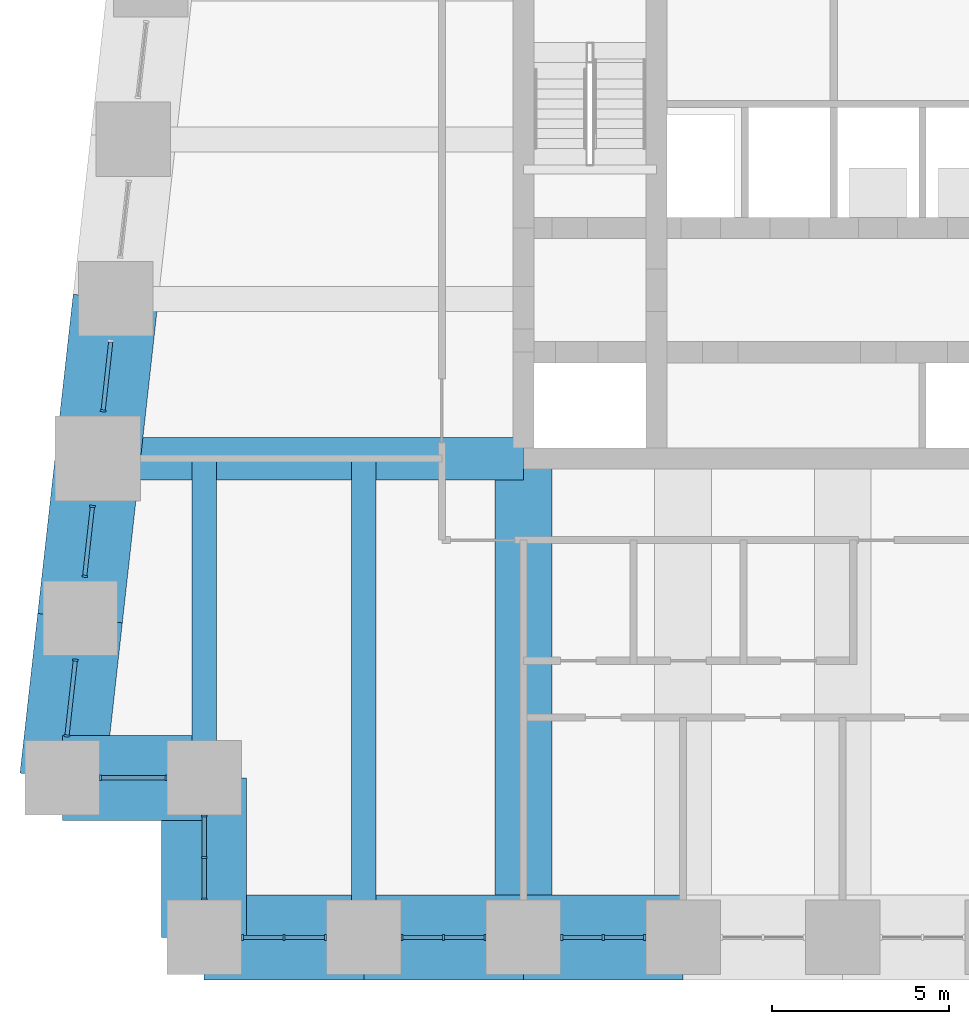
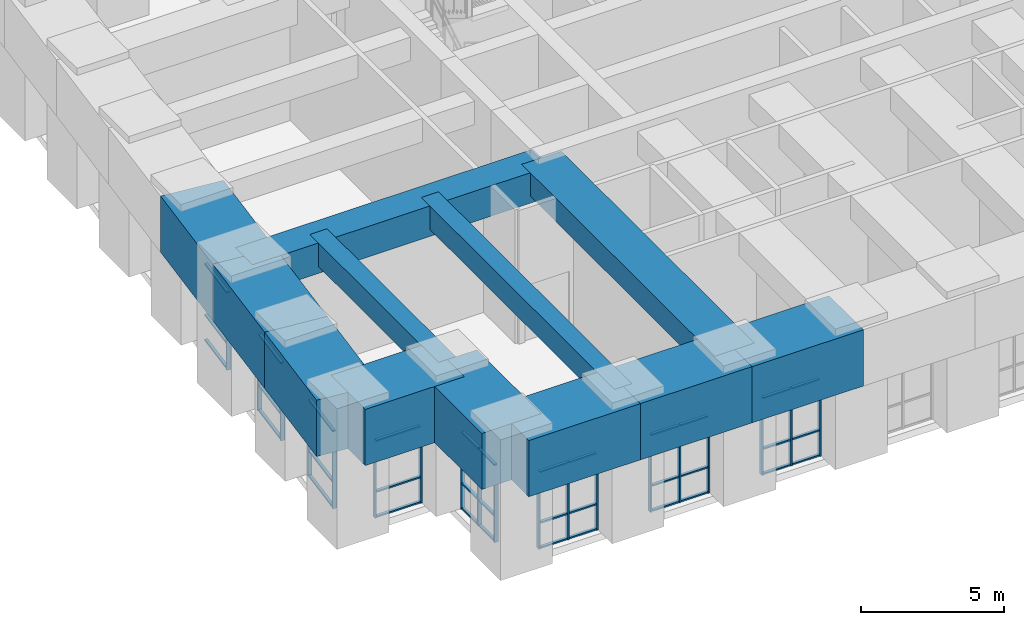
# One storey, part 2 of 17: 55 members, 12 beams, 8 elements without a shape of their own.
"""IFC4 building model written with IfcOpenShell, lengths in metres."""

from ifc_helpers import new_model, si_unit, direction, frame, origin, origin_2d, place, context, subcontext, project, spatial, rectangle, extrude, material, material_profile, profile_set, type_object, element, aggregate, save


model = new_model("IFC4")

# Units and contexts
model_context = context("Model", 3, precision=1e-05, world=origin(), true_north=direction((0.0, 1.0)))
body_context = subcontext(model_context, "Body", "Model", "MODEL_VIEW")
ifc_project = project(units=[si_unit("LENGTHUNIT", "METRE"), si_unit("AREAUNIT", "SQUARE_METRE"), si_unit("VOLUMEUNIT", "CUBIC_METRE"), si_unit("PLANEANGLEUNIT", "RADIAN"), si_unit("MASSUNIT", "GRAM", prefix="KILO")], contexts=[model_context])

# Site, building, storey
site_placement = place(None, origin())
site = spatial("IfcSite", under=ifc_project, at=site_placement, CompositionType="ELEMENT")
building_placement = place(site_placement, origin())
building = spatial("IfcBuilding", under=site, at=building_placement, Name="Kilele Tower Hotel", CompositionType="ELEMENT")
storey_placement = place(building_placement, frame((0.0, 0.0, 145.89990234375)))
storey = spatial("IfcBuildingStorey", under=building, at=storey_placement, Name="L38", CompositionType="ELEMENT", Elevation=145.89990234375)

# Beams
ifc_material_1 = material(Name="Concrete C60/75", Category="concrete")
ifc_material_profile_1 = material_profile(ifc_material_1, rectangle(XDim=1.60009765625, YDim=1.0, at=origin_2d()))
ifc_profile_set_1 = profile_set([ifc_material_profile_1], Name="Concrete C60/75")
beam_type_1 = type_object("IfcBeamType", Name="Beam RC 1600x1000 C60/75", PredefinedType="BEAM", material=ifc_profile_set_1)
beam_1_placement = place(storey_placement, frame((13.5, 0.0, 5.2001953125), z_axis=(0.0, 1.0, 0.0), x_axis=(-1.0, 0.0, 0.0)))
element("IfcBeam", 1, at=beam_1_placement, inside=storey, type_object=beam_type_1, Name="Beam BC1 level L39", PredefinedType="BEAM", context=body_context, shape_type="SweptSolid", body=[
    extrude(rectangle(XDim=1.60009765625, YDim=1.0, at=origin_2d()), origin(), (0.0, 0.0, 1.0), 13.5),
])
ifc_material_2 = material(Name="Concrete C60/75", Category="concrete")
ifc_material_profile_2 = material_profile(ifc_material_2, rectangle(XDim=0.699951171875, YDim=1.0, at=origin_2d()))
ifc_profile_set_2 = profile_set([ifc_material_profile_2], Name="Concrete C60/75")
beam_type_2 = type_object("IfcBeamType", Name="Beam RC 700x1000 C60/75", PredefinedType="BEAM", material=ifc_profile_set_2)
beam_2_placement = place(storey_placement, frame((9.0, 0.0, 5.2001953125), z_axis=(0.0, 1.0, 0.0), x_axis=(-1.0, 0.0, 0.0)))
element("IfcBeam", 2, at=beam_2_placement, inside=storey, type_object=beam_type_2, Name="Beam B4 level L39", PredefinedType="BEAM", context=body_context, shape_type="SweptSolid", body=[
    extrude(rectangle(XDim=0.699951171875, YDim=1.0, at=origin_2d()), origin(), (0.0, 0.0, 1.0), 13.5),
])
ifc_material_3 = material(Name="Concrete C60/75", Category="concrete")
ifc_material_profile_3 = material_profile(ifc_material_3, rectangle(XDim=0.699951171875, YDim=1.0, at=origin_2d()))
ifc_profile_set_3 = profile_set([ifc_material_profile_3], Name="Concrete C60/75")
beam_type_3 = type_object("IfcBeamType", Name="Beam RC 700x1000 C60/75 mid span", PredefinedType="BEAM", material=ifc_profile_set_3)
beam_3_placement = place(storey_placement, frame((4.5, 4.5, 5.2001953125), z_axis=(0.0, 1.0, 0.0), x_axis=(-1.0, 0.0, 0.0)))
element("IfcBeam", 3, at=beam_3_placement, inside=storey, type_object=beam_type_3, Name="Beam B5 level L39", PredefinedType="BEAM", context=body_context, shape_type="SweptSolid", body=[
    extrude(rectangle(XDim=0.699951171875, YDim=1.0, at=origin_2d()), origin(), (0.0, 0.0, 1.0), 9.0),
])
ifc_material_4 = material(Name="Concrete C60/75", Category="concrete")
ifc_material_profile_4 = material_profile(ifc_material_4, rectangle(XDim=1.199951171875, YDim=1.300048828125, at=origin_2d()))
ifc_profile_set_4 = profile_set([ifc_material_profile_4], Name="Concrete C60/75")
beam_type_4 = type_object("IfcBeamType", Name="Girder RC 1200x1300 C60/75 tie", PredefinedType="BEAM", material=ifc_profile_set_4)
beam_4_placement = place(storey_placement, frame((1.5, 13.5, 5.050048828125), z_axis=(1.0, 0.0, 0.0), x_axis=(0.0, 1.0, 0.0)))
element("IfcBeam", 4, at=beam_4_placement, inside=storey, type_object=beam_type_4, Name="Girder G8 level L39", PredefinedType="BEAM", context=body_context, shape_type="SweptSolid", body=[
    extrude(rectangle(XDim=1.199951171875, YDim=1.300048828125, at=origin_2d()), origin(), (0.0, 0.0, 1.0), 12.0),
])

# Curtain wall, members
ifc_material_5 = material(Name="Aluminium curtain wall, clear double glazing", Category="aluminium")
curtain_wall_type = type_object("IfcCurtainWallType", Name="Sky lobby curtain wall CW-3", PredefinedType="NOTDEFINED", material=ifc_material_5)
curtain_wall_1_placement = place(storey_placement, origin())
curtain_wall_1 = element("IfcCurtainWall", 5, at=curtain_wall_1_placement, inside=storey, type_object=curtain_wall_type, Name="Sky lobby curtain wall CW-3 L38", PredefinedType="NOTDEFINED")
ifc_material_6 = material(Name="Aluminium EN AW-6063 T6", Category="aluminium")
ifc_material_profile_5 = material_profile(ifc_material_6, rectangle(XDim=0.159912109375, YDim=0.06005859375, at=origin_2d()))
ifc_profile_set_5 = profile_set([ifc_material_profile_5], Name="Aluminium EN AW-6063 T6")
member_type_1 = type_object("IfcMemberType", Name="Mullion 60x160 CW-3", PredefinedType="MULLION", material=ifc_profile_set_5)
member_1_placement = place(storey_placement, frame((1.580078125, 4.5, 0.0), z_axis=(0.0, 0.0, 1.0), x_axis=(0.0, 1.0, 0.0)))
member_1 = element("IfcMember", 6, at=member_1_placement, type_object=member_type_1, Name="CW-3 mullion 1", PredefinedType="MULLION", context=body_context, shape_type="SweptSolid", body=[
    extrude(rectangle(XDim=0.159912109375, YDim=0.06005859375, at=origin_2d()), origin(), (0.0, 0.0, 1.0), 3.300048828125),
])
member_2_placement = place(storey_placement, frame((3.419921875, 4.5, 0.0), z_axis=(0.0, 0.0, 1.0), x_axis=(0.0, 1.0, 0.0)))
member_2 = element("IfcMember", 7, at=member_2_placement, type_object=member_type_1, Name="CW-3 mullion 2", PredefinedType="MULLION", context=body_context, shape_type="SweptSolid", body=[
    extrude(rectangle(XDim=0.159912109375, YDim=0.06005859375, at=origin_2d()), origin(), (0.0, 0.0, 1.0), 3.300048828125),
])

curtain_wall_2_placement = place(storey_placement, origin())
curtain_wall_2 = element("IfcCurtainWall", 8, at=curtain_wall_2_placement, inside=storey, type_object=curtain_wall_type, Name="Sky lobby curtain wall CW-3 L38", PredefinedType="NOTDEFINED")
member_3_placement = place(storey_placement, frame((4.5, 3.419921875, 0.0), z_axis=(0.0, 0.0, 1.0), x_axis=(1.0, 0.0, 0.0)))
member_3 = element("IfcMember", 9, at=member_3_placement, type_object=member_type_1, Name="CW-3 mullion 1", PredefinedType="MULLION", context=body_context, shape_type="SweptSolid", body=[
    extrude(rectangle(XDim=0.159912109375, YDim=0.06005859375, at=origin_2d()), origin(), (0.0, 0.0, 1.0), 3.300048828125),
])
member_4_placement = place(storey_placement, frame((4.5, 2.25, 0.0), z_axis=(0.0, 0.0, 1.0), x_axis=(1.0, 0.0, 0.0)))
member_4 = element("IfcMember", 10, at=member_4_placement, type_object=member_type_1, Name="CW-3 mullion 2", PredefinedType="MULLION", context=body_context, shape_type="SweptSolid", body=[
    extrude(rectangle(XDim=0.159912109375, YDim=0.06005859375, at=origin_2d()), origin(), (0.0, 0.0, 1.0), 3.300048828125),
])
member_5_placement = place(storey_placement, frame((4.5, 1.080078125, 0.0), z_axis=(0.0, 0.0, 1.0), x_axis=(1.0, 0.0, 0.0)))
member_5 = element("IfcMember", 11, at=member_5_placement, type_object=member_type_1, Name="CW-3 mullion 3", PredefinedType="MULLION", context=body_context, shape_type="SweptSolid", body=[
    extrude(rectangle(XDim=0.159912109375, YDim=0.06005859375, at=origin_2d()), origin(), (0.0, 0.0, 1.0), 3.300048828125),
])

curtain_wall_3_placement = place(storey_placement, origin())
curtain_wall_3 = element("IfcCurtainWall", 12, at=curtain_wall_3_placement, inside=storey, type_object=curtain_wall_type, Name="Sky lobby curtain wall CW-3 L38", PredefinedType="NOTDEFINED")
member_6_placement = place(storey_placement, frame((5.580078125, 0.0, 0.0), z_axis=(0.0, 0.0, 1.0), x_axis=(0.0, 1.0, 0.0)))
member_6 = element("IfcMember", 13, at=member_6_placement, type_object=member_type_1, Name="CW-3 mullion 1", PredefinedType="MULLION", context=body_context, shape_type="SweptSolid", body=[
    extrude(rectangle(XDim=0.159912109375, YDim=0.06005859375, at=origin_2d()), origin(), (0.0, 0.0, 1.0), 3.300048828125),
])
member_7_placement = place(storey_placement, frame((6.75, 0.0, 0.0), z_axis=(0.0, 0.0, 1.0), x_axis=(0.0, 1.0, 0.0)))
member_7 = element("IfcMember", 14, at=member_7_placement, type_object=member_type_1, Name="CW-3 mullion 2", PredefinedType="MULLION", context=body_context, shape_type="SweptSolid", body=[
    extrude(rectangle(XDim=0.159912109375, YDim=0.06005859375, at=origin_2d()), origin(), (0.0, 0.0, 1.0), 3.300048828125),
])
member_8_placement = place(storey_placement, frame((7.919921875, 0.0, 0.0), z_axis=(0.0, 0.0, 1.0), x_axis=(0.0, 1.0, 0.0)))
member_8 = element("IfcMember", 15, at=member_8_placement, type_object=member_type_1, Name="CW-3 mullion 3", PredefinedType="MULLION", context=body_context, shape_type="SweptSolid", body=[
    extrude(rectangle(XDim=0.159912109375, YDim=0.06005859375, at=origin_2d()), origin(), (0.0, 0.0, 1.0), 3.300048828125),
])

curtain_wall_4_placement = place(storey_placement, origin())
curtain_wall_4 = element("IfcCurtainWall", 16, at=curtain_wall_4_placement, inside=storey, type_object=curtain_wall_type, Name="Sky lobby curtain wall CW-3 L38", PredefinedType="NOTDEFINED")
member_9_placement = place(storey_placement, frame((10.080078125, 0.0, 0.0), z_axis=(0.0, 0.0, 1.0), x_axis=(0.0, 1.0, 0.0)))
member_9 = element("IfcMember", 17, at=member_9_placement, type_object=member_type_1, Name="CW-3 mullion 1", PredefinedType="MULLION", context=body_context, shape_type="SweptSolid", body=[
    extrude(rectangle(XDim=0.159912109375, YDim=0.06005859375, at=origin_2d()), origin(), (0.0, 0.0, 1.0), 3.300048828125),
])
member_10_placement = place(storey_placement, frame((11.25, 0.0, 0.0), z_axis=(0.0, 0.0, 1.0), x_axis=(0.0, 1.0, 0.0)))
member_10 = element("IfcMember", 18, at=member_10_placement, type_object=member_type_1, Name="CW-3 mullion 2", PredefinedType="MULLION", context=body_context, shape_type="SweptSolid", body=[
    extrude(rectangle(XDim=0.159912109375, YDim=0.06005859375, at=origin_2d()), origin(), (0.0, 0.0, 1.0), 3.300048828125),
])
member_11_placement = place(storey_placement, frame((12.419921875, 0.0, 0.0), z_axis=(0.0, 0.0, 1.0), x_axis=(0.0, 1.0, 0.0)))
member_11 = element("IfcMember", 19, at=member_11_placement, type_object=member_type_1, Name="CW-3 mullion 3", PredefinedType="MULLION", context=body_context, shape_type="SweptSolid", body=[
    extrude(rectangle(XDim=0.159912109375, YDim=0.06005859375, at=origin_2d()), origin(), (0.0, 0.0, 1.0), 3.300048828125),
])

curtain_wall_5_placement = place(storey_placement, origin())
curtain_wall_5 = element("IfcCurtainWall", 20, at=curtain_wall_5_placement, inside=storey, type_object=curtain_wall_type, Name="Sky lobby curtain wall CW-3 L38", PredefinedType="NOTDEFINED")
member_12_placement = place(storey_placement, frame((14.580078125, 0.0, 0.0), z_axis=(0.0, 0.0, 1.0), x_axis=(0.0, 1.0, 0.0)))
member_12 = element("IfcMember", 21, at=member_12_placement, type_object=member_type_1, Name="CW-3 mullion 1", PredefinedType="MULLION", context=body_context, shape_type="SweptSolid", body=[
    extrude(rectangle(XDim=0.159912109375, YDim=0.06005859375, at=origin_2d()), origin(), (0.0, 0.0, 1.0), 3.300048828125),
])
member_13_placement = place(storey_placement, frame((15.75, 0.0, 0.0), z_axis=(0.0, 0.0, 1.0), x_axis=(0.0, 1.0, 0.0)))
member_13 = element("IfcMember", 22, at=member_13_placement, type_object=member_type_1, Name="CW-3 mullion 2", PredefinedType="MULLION", context=body_context, shape_type="SweptSolid", body=[
    extrude(rectangle(XDim=0.159912109375, YDim=0.06005859375, at=origin_2d()), origin(), (0.0, 0.0, 1.0), 3.300048828125),
])
member_14_placement = place(storey_placement, frame((16.919921875, 0.0, 0.0), z_axis=(0.0, 0.0, 1.0), x_axis=(0.0, 1.0, 0.0)))
member_14 = element("IfcMember", 23, at=member_14_placement, type_object=member_type_1, Name="CW-3 mullion 3", PredefinedType="MULLION", context=body_context, shape_type="SweptSolid", body=[
    extrude(rectangle(XDim=0.159912109375, YDim=0.06005859375, at=origin_2d()), origin(), (0.0, 0.0, 1.0), 3.300048828125),
])

# Curtain wall, member
curtain_wall_6_placement = place(storey_placement, origin())
curtain_wall_6 = element("IfcCurtainWall", 24, at=curtain_wall_6_placement, inside=storey, type_object=curtain_wall_type, Name="Sky lobby curtain wall CW-3 L38", PredefinedType="NOTDEFINED")
member_15_placement = place(storey_placement, frame((1.649658203125, 14.846923828125, 0.0), z_axis=(0.0, 0.0, 1.0), x_axis=(0.993883734625, -0.11043152651, 0.0)))
member_15 = element("IfcMember", 25, at=member_15_placement, type_object=member_type_1, Name="CW-3 mullion 2", PredefinedType="MULLION", context=body_context, shape_type="SweptSolid", body=[
    extrude(rectangle(XDim=0.159912109375, YDim=0.06005859375, at=origin_2d()), origin(), (0.0, 0.0, 1.0), 3.300048828125),
])

# Curtain wall, members
curtain_wall_7_placement = place(storey_placement, origin())
curtain_wall_7 = element("IfcCurtainWall", 26, at=curtain_wall_7_placement, inside=storey, type_object=curtain_wall_type, Name="Sky lobby curtain wall CW-3 L38", PredefinedType="NOTDEFINED")
member_16_placement = place(storey_placement, frame((1.350341796875, 12.153076171875, 0.0), z_axis=(0.0, 0.0, 1.0), x_axis=(0.993883734625, -0.11043152651, 0.0)))
member_16 = element("IfcMember", 27, at=member_16_placement, type_object=member_type_1, Name="CW-3 mullion 1", PredefinedType="MULLION", context=body_context, shape_type="SweptSolid", body=[
    extrude(rectangle(XDim=0.159912109375, YDim=0.06005859375, at=origin_2d()), origin(), (0.0, 0.0, 1.0), 3.300048828125),
])
member_17_placement = place(storey_placement, frame((1.13134765625, 10.182373046875, 0.0), z_axis=(0.0, 0.0, 1.0), x_axis=(0.993883734625, -0.11043152651, 0.0)))
member_17 = element("IfcMember", 28, at=member_17_placement, type_object=member_type_1, Name="CW-3 mullion 2", PredefinedType="MULLION", context=body_context, shape_type="SweptSolid", body=[
    extrude(rectangle(XDim=0.159912109375, YDim=0.06005859375, at=origin_2d()), origin(), (0.0, 0.0, 1.0), 3.300048828125),
])

curtain_wall_8_placement = place(storey_placement, origin())
curtain_wall_8 = element("IfcCurtainWall", 29, at=curtain_wall_8_placement, inside=storey, type_object=curtain_wall_type, Name="Sky lobby curtain wall CW-3 L38", PredefinedType="NOTDEFINED")
member_18_placement = place(storey_placement, frame((0.86865234375, 7.817626953125, 0.0), z_axis=(0.0, 0.0, 1.0), x_axis=(0.993883734629, -0.110431526475, 0.0)))
member_18 = element("IfcMember", 30, at=member_18_placement, type_object=member_type_1, Name="CW-3 mullion 1", PredefinedType="MULLION", context=body_context, shape_type="SweptSolid", body=[
    extrude(rectangle(XDim=0.159912109375, YDim=0.06005859375, at=origin_2d()), origin(), (0.0, 0.0, 1.0), 3.300048828125),
])
member_19_placement = place(storey_placement, frame((0.63134765625, 5.682373046875, 0.0), z_axis=(0.0, 0.0, 1.0), x_axis=(0.993883734629, -0.110431526475, 0.0)))
member_19 = element("IfcMember", 31, at=member_19_placement, type_object=member_type_1, Name="CW-3 mullion 2", PredefinedType="MULLION", context=body_context, shape_type="SweptSolid", body=[
    extrude(rectangle(XDim=0.159912109375, YDim=0.06005859375, at=origin_2d()), origin(), (0.0, 0.0, 1.0), 3.300048828125),
])

# Beams
ifc_material_7 = material(Name="Concrete C60/75", Category="concrete")
ifc_material_profile_6 = material_profile(ifc_material_7, rectangle(XDim=2.39990234375, YDim=2.39990234375, at=origin_2d()))
ifc_profile_set_6 = profile_set([ifc_material_profile_6], Name="Concrete C60/75")
beam_type_5 = type_object("IfcBeamType", Name="Spandrel RC 2400x2400 C60/75", PredefinedType="SPANDREL", material=ifc_profile_set_6)
beam_5_placement = place(storey_placement, frame((0.5, 4.5, 4.5), z_axis=(1.0, 0.0, 0.0), x_axis=(0.0, 1.0, 0.0)))
element("IfcBeam", 32, at=beam_5_placement, inside=storey, type_object=beam_type_5, Name="Spandrel SP15 level L39", PredefinedType="SPANDREL", context=body_context, shape_type="SweptSolid", body=[
    extrude(rectangle(XDim=2.39990234375, YDim=2.39990234375, at=origin_2d()), origin(), (0.0, 0.0, 1.0), 4.0),
])
for number, where, z_axis, x_axis, name in (
    (33, (4.5, 4.5, 4.5), (0.0, -1.0, 0.0), (1.0, 0.0, 0.0), "Spandrel SP15 level L39"),
    (34, (4.5, 0.0, 4.5), (1.0, 0.0, 0.0), (0.0, 1.0, 0.0), "Spandrel SP15 level L39"),
    (35, (9.0, 0.0, 4.5), (1.0, 0.0, 0.0), (0.0, 1.0, 0.0), "Spandrel SP15 level L39"),
    (36, (13.5, 0.0, 4.5), (1.0, 0.0, 0.0), (0.0, 1.0, 0.0), "Spandrel SP15 level L39"),
):
    element("IfcBeam", number, at=place(storey_placement, frame(where, z_axis=z_axis, x_axis=x_axis)), inside=storey, type_object=beam_type_5, Name=name, PredefinedType="SPANDREL", context=body_context, shape_type="SweptSolid", body=[
        extrude(rectangle(XDim=2.39990234375, YDim=2.39990234375, at=origin_2d()), origin(), (0.0, 0.0, 1.0), 4.5),
    ])
for number, where, z_axis, x_axis, name in (
    (37, (2.0, 18.0, 4.5), (-0.110431526075, -0.993883734674, 0.0), (0.993883734674, -0.110431526075, 0.0), "Spandrel SP15 level L39"),
    (38, (1.5, 13.5, 4.5), (-0.110431526075, -0.993883734674, 0.0), (0.993883734674, -0.110431526075, 0.0), "Spandrel SP15 level L39"),
    (39, (1.0, 9.0, 4.5), (-0.110431526075, -0.993883734674, 0.0), (0.993883734674, -0.110431526075, 0.0), "Spandrel SP15 level L39"),
):
    element("IfcBeam", number, at=place(storey_placement, frame(where, z_axis=z_axis, x_axis=x_axis)), inside=storey, type_object=beam_type_5, Name=name, PredefinedType="SPANDREL", context=body_context, shape_type="SweptSolid", body=[
        extrude(rectangle(XDim=2.39990234375, YDim=2.39990234375, at=origin_2d()), origin(), (0.0, 0.0, 1.0), 4.527587890625),
    ])

# Member
ifc_material_8 = material(Name="Aluminium EN AW-6063 T6", Category="aluminium")
ifc_material_profile_7 = material_profile(ifc_material_8, rectangle(XDim=0.1201171875, YDim=0.06005859375, at=origin_2d()))
ifc_profile_set_7 = profile_set([ifc_material_profile_7], Name="Aluminium EN AW-6063 T6")
member_type_2 = type_object("IfcMemberType", Name="Transom 60x120 CW-3", PredefinedType="USERDEFINED", material=ifc_profile_set_7)
member_20_placement = place(storey_placement, frame((1.610107421875, 4.5, 0.030029296875), z_axis=(1.0, 0.0, 0.0), x_axis=(0.0, 1.0, 0.0)))
member_20 = element("IfcMember", 40, at=member_20_placement, type_object=member_type_2, Name="CW-3 transom 1.1", ObjectType="TRANSOM", PredefinedType="USERDEFINED", context=body_context, shape_type="SweptSolid", body=[
    extrude(rectangle(XDim=0.1201171875, YDim=0.06005859375, at=origin_2d()), origin(), (0.0, 0.0, 1.0), 1.77978515625),
])

member_21_placement = place(storey_placement, frame((1.610107421875, 4.5, 1.10009765625), z_axis=(1.0, 0.0, 0.0), x_axis=(0.0, 1.0, 0.0)))
member_21 = element("IfcMember", 41, at=member_21_placement, type_object=member_type_2, Name="CW-3 transom 1.2", ObjectType="TRANSOM", PredefinedType="USERDEFINED", context=body_context, shape_type="SweptSolid", body=[
    extrude(rectangle(XDim=0.1201171875, YDim=0.06005859375, at=origin_2d()), origin(), (0.0, 0.0, 1.0), 1.77978515625),
])

member_22_placement = place(storey_placement, frame((1.610107421875, 4.5, 3.27001953125), z_axis=(1.0, 0.0, 0.0), x_axis=(0.0, 1.0, 0.0)))
member_22 = element("IfcMember", 42, at=member_22_placement, type_object=member_type_2, Name="CW-3 transom 1.3", ObjectType="TRANSOM", PredefinedType="USERDEFINED", context=body_context, shape_type="SweptSolid", body=[
    extrude(rectangle(XDim=0.1201171875, YDim=0.06005859375, at=origin_2d()), origin(), (0.0, 0.0, 1.0), 1.77978515625),
])

aggregate(curtain_wall_1, [member_1, member_2, member_20, member_21, member_22])

member_23_placement = place(storey_placement, frame((4.5, 3.389892578125, 0.030029296875), z_axis=(0.0, -1.0, 0.0), x_axis=(1.0, 0.0, 0.0)))
member_23 = element("IfcMember", 43, at=member_23_placement, type_object=member_type_2, Name="CW-3 transom 1.1", ObjectType="TRANSOM", PredefinedType="USERDEFINED", context=body_context, shape_type="SweptSolid", body=[
    extrude(rectangle(XDim=0.1201171875, YDim=0.06005859375, at=origin_2d()), origin(), (0.0, 0.0, 1.0), 1.10986328125),
])

member_24_placement = place(storey_placement, frame((4.5, 3.389892578125, 1.10009765625), z_axis=(0.0, -1.0, 0.0), x_axis=(1.0, 0.0, 0.0)))
member_24 = element("IfcMember", 44, at=member_24_placement, type_object=member_type_2, Name="CW-3 transom 1.2", ObjectType="TRANSOM", PredefinedType="USERDEFINED", context=body_context, shape_type="SweptSolid", body=[
    extrude(rectangle(XDim=0.1201171875, YDim=0.06005859375, at=origin_2d()), origin(), (0.0, 0.0, 1.0), 1.10986328125),
])

member_25_placement = place(storey_placement, frame((4.5, 3.389892578125, 3.27001953125), z_axis=(0.0, -1.0, 0.0), x_axis=(1.0, 0.0, 0.0)))
member_25 = element("IfcMember", 45, at=member_25_placement, type_object=member_type_2, Name="CW-3 transom 1.3", ObjectType="TRANSOM", PredefinedType="USERDEFINED", context=body_context, shape_type="SweptSolid", body=[
    extrude(rectangle(XDim=0.1201171875, YDim=0.06005859375, at=origin_2d()), origin(), (0.0, 0.0, 1.0), 1.10986328125),
])

member_26_placement = place(storey_placement, frame((4.5, 2.219970703125, 0.030029296875), z_axis=(0.0, -1.0, 0.0), x_axis=(1.0, 0.0, 0.0)))
member_26 = element("IfcMember", 46, at=member_26_placement, type_object=member_type_2, Name="CW-3 transom 2.1", ObjectType="TRANSOM", PredefinedType="USERDEFINED", context=body_context, shape_type="SweptSolid", body=[
    extrude(rectangle(XDim=0.1201171875, YDim=0.06005859375, at=origin_2d()), origin(), (0.0, 0.0, 1.0), 1.10986328125),
])

member_27_placement = place(storey_placement, frame((4.5, 2.219970703125, 1.10009765625), z_axis=(0.0, -1.0, 0.0), x_axis=(1.0, 0.0, 0.0)))
member_27 = element("IfcMember", 47, at=member_27_placement, type_object=member_type_2, Name="CW-3 transom 2.2", ObjectType="TRANSOM", PredefinedType="USERDEFINED", context=body_context, shape_type="SweptSolid", body=[
    extrude(rectangle(XDim=0.1201171875, YDim=0.06005859375, at=origin_2d()), origin(), (0.0, 0.0, 1.0), 1.10986328125),
])

member_28_placement = place(storey_placement, frame((4.5, 2.219970703125, 3.27001953125), z_axis=(0.0, -1.0, 0.0), x_axis=(1.0, 0.0, 0.0)))
member_28 = element("IfcMember", 48, at=member_28_placement, type_object=member_type_2, Name="CW-3 transom 2.3", ObjectType="TRANSOM", PredefinedType="USERDEFINED", context=body_context, shape_type="SweptSolid", body=[
    extrude(rectangle(XDim=0.1201171875, YDim=0.06005859375, at=origin_2d()), origin(), (0.0, 0.0, 1.0), 1.10986328125),
])

aggregate(curtain_wall_2, [member_3, member_4, member_5, member_23, member_24, member_25, member_26, member_27, member_28])

member_29_placement = place(storey_placement, frame((5.610107421875, 0.0, 0.030029296875), z_axis=(1.0, 0.0, 0.0), x_axis=(0.0, 1.0, 0.0)))
member_29 = element("IfcMember", 49, at=member_29_placement, type_object=member_type_2, Name="CW-3 transom 1.1", ObjectType="TRANSOM", PredefinedType="USERDEFINED", context=body_context, shape_type="SweptSolid", body=[
    extrude(rectangle(XDim=0.1201171875, YDim=0.06005859375, at=origin_2d()), origin(), (0.0, 0.0, 1.0), 1.10986328125),
])

member_30_placement = place(storey_placement, frame((5.610107421875, 0.0, 1.10009765625), z_axis=(1.0, 0.0, 0.0), x_axis=(0.0, 1.0, 0.0)))
member_30 = element("IfcMember", 50, at=member_30_placement, type_object=member_type_2, Name="CW-3 transom 1.2", ObjectType="TRANSOM", PredefinedType="USERDEFINED", context=body_context, shape_type="SweptSolid", body=[
    extrude(rectangle(XDim=0.1201171875, YDim=0.06005859375, at=origin_2d()), origin(), (0.0, 0.0, 1.0), 1.10986328125),
])

member_31_placement = place(storey_placement, frame((5.610107421875, 0.0, 3.27001953125), z_axis=(1.0, 0.0, 0.0), x_axis=(0.0, 1.0, 0.0)))
member_31 = element("IfcMember", 51, at=member_31_placement, type_object=member_type_2, Name="CW-3 transom 1.3", ObjectType="TRANSOM", PredefinedType="USERDEFINED", context=body_context, shape_type="SweptSolid", body=[
    extrude(rectangle(XDim=0.1201171875, YDim=0.06005859375, at=origin_2d()), origin(), (0.0, 0.0, 1.0), 1.10986328125),
])

member_32_placement = place(storey_placement, frame((6.780029296875, 0.0, 0.030029296875), z_axis=(1.0, 0.0, 0.0), x_axis=(0.0, 1.0, 0.0)))
member_32 = element("IfcMember", 52, at=member_32_placement, type_object=member_type_2, Name="CW-3 transom 2.1", ObjectType="TRANSOM", PredefinedType="USERDEFINED", context=body_context, shape_type="SweptSolid", body=[
    extrude(rectangle(XDim=0.1201171875, YDim=0.06005859375, at=origin_2d()), origin(), (0.0, 0.0, 1.0), 1.10986328125),
])

member_33_placement = place(storey_placement, frame((6.780029296875, 0.0, 1.10009765625), z_axis=(1.0, 0.0, 0.0), x_axis=(0.0, 1.0, 0.0)))
member_33 = element("IfcMember", 53, at=member_33_placement, type_object=member_type_2, Name="CW-3 transom 2.2", ObjectType="TRANSOM", PredefinedType="USERDEFINED", context=body_context, shape_type="SweptSolid", body=[
    extrude(rectangle(XDim=0.1201171875, YDim=0.06005859375, at=origin_2d()), origin(), (0.0, 0.0, 1.0), 1.10986328125),
])

member_34_placement = place(storey_placement, frame((6.780029296875, 0.0, 3.27001953125), z_axis=(1.0, 0.0, 0.0), x_axis=(0.0, 1.0, 0.0)))
member_34 = element("IfcMember", 54, at=member_34_placement, type_object=member_type_2, Name="CW-3 transom 2.3", ObjectType="TRANSOM", PredefinedType="USERDEFINED", context=body_context, shape_type="SweptSolid", body=[
    extrude(rectangle(XDim=0.1201171875, YDim=0.06005859375, at=origin_2d()), origin(), (0.0, 0.0, 1.0), 1.10986328125),
])

aggregate(curtain_wall_3, [member_6, member_7, member_8, member_29, member_30, member_31, member_32, member_33, member_34])

member_35_placement = place(storey_placement, frame((10.110107421875, 0.0, 0.030029296875), z_axis=(1.0, 0.0, 0.0), x_axis=(0.0, 1.0, 0.0)))
member_35 = element("IfcMember", 55, at=member_35_placement, type_object=member_type_2, Name="CW-3 transom 1.1", ObjectType="TRANSOM", PredefinedType="USERDEFINED", context=body_context, shape_type="SweptSolid", body=[
    extrude(rectangle(XDim=0.1201171875, YDim=0.06005859375, at=origin_2d()), origin(), (0.0, 0.0, 1.0), 1.10986328125),
])

member_36_placement = place(storey_placement, frame((10.110107421875, 0.0, 1.10009765625), z_axis=(1.0, 0.0, 0.0), x_axis=(0.0, 1.0, 0.0)))
member_36 = element("IfcMember", 56, at=member_36_placement, type_object=member_type_2, Name="CW-3 transom 1.2", ObjectType="TRANSOM", PredefinedType="USERDEFINED", context=body_context, shape_type="SweptSolid", body=[
    extrude(rectangle(XDim=0.1201171875, YDim=0.06005859375, at=origin_2d()), origin(), (0.0, 0.0, 1.0), 1.10986328125),
])

member_37_placement = place(storey_placement, frame((10.110107421875, 0.0, 3.27001953125), z_axis=(1.0, 0.0, 0.0), x_axis=(0.0, 1.0, 0.0)))
member_37 = element("IfcMember", 57, at=member_37_placement, type_object=member_type_2, Name="CW-3 transom 1.3", ObjectType="TRANSOM", PredefinedType="USERDEFINED", context=body_context, shape_type="SweptSolid", body=[
    extrude(rectangle(XDim=0.1201171875, YDim=0.06005859375, at=origin_2d()), origin(), (0.0, 0.0, 1.0), 1.10986328125),
])

member_38_placement = place(storey_placement, frame((11.280029296875, 0.0, 0.030029296875), z_axis=(1.0, 0.0, 0.0), x_axis=(0.0, 1.0, 0.0)))
member_38 = element("IfcMember", 58, at=member_38_placement, type_object=member_type_2, Name="CW-3 transom 2.1", ObjectType="TRANSOM", PredefinedType="USERDEFINED", context=body_context, shape_type="SweptSolid", body=[
    extrude(rectangle(XDim=0.1201171875, YDim=0.06005859375, at=origin_2d()), origin(), (0.0, 0.0, 1.0), 1.10986328125),
])

member_39_placement = place(storey_placement, frame((11.280029296875, 0.0, 1.10009765625), z_axis=(1.0, 0.0, 0.0), x_axis=(0.0, 1.0, 0.0)))
member_39 = element("IfcMember", 59, at=member_39_placement, type_object=member_type_2, Name="CW-3 transom 2.2", ObjectType="TRANSOM", PredefinedType="USERDEFINED", context=body_context, shape_type="SweptSolid", body=[
    extrude(rectangle(XDim=0.1201171875, YDim=0.06005859375, at=origin_2d()), origin(), (0.0, 0.0, 1.0), 1.10986328125),
])

member_40_placement = place(storey_placement, frame((11.280029296875, 0.0, 3.27001953125), z_axis=(1.0, 0.0, 0.0), x_axis=(0.0, 1.0, 0.0)))
member_40 = element("IfcMember", 60, at=member_40_placement, type_object=member_type_2, Name="CW-3 transom 2.3", ObjectType="TRANSOM", PredefinedType="USERDEFINED", context=body_context, shape_type="SweptSolid", body=[
    extrude(rectangle(XDim=0.1201171875, YDim=0.06005859375, at=origin_2d()), origin(), (0.0, 0.0, 1.0), 1.10986328125),
])

aggregate(curtain_wall_4, [member_9, member_10, member_11, member_35, member_36, member_37, member_38, member_39, member_40])

member_41_placement = place(storey_placement, frame((14.610107421875, 0.0, 0.030029296875), z_axis=(1.0, 0.0, 0.0), x_axis=(0.0, 1.0, 0.0)))
member_41 = element("IfcMember", 61, at=member_41_placement, type_object=member_type_2, Name="CW-3 transom 1.1", ObjectType="TRANSOM", PredefinedType="USERDEFINED", context=body_context, shape_type="SweptSolid", body=[
    extrude(rectangle(XDim=0.1201171875, YDim=0.06005859375, at=origin_2d()), origin(), (0.0, 0.0, 1.0), 1.10986328125),
])

member_42_placement = place(storey_placement, frame((14.610107421875, 0.0, 1.10009765625), z_axis=(1.0, 0.0, 0.0), x_axis=(0.0, 1.0, 0.0)))
member_42 = element("IfcMember", 62, at=member_42_placement, type_object=member_type_2, Name="CW-3 transom 1.2", ObjectType="TRANSOM", PredefinedType="USERDEFINED", context=body_context, shape_type="SweptSolid", body=[
    extrude(rectangle(XDim=0.1201171875, YDim=0.06005859375, at=origin_2d()), origin(), (0.0, 0.0, 1.0), 1.10986328125),
])

member_43_placement = place(storey_placement, frame((14.610107421875, 0.0, 3.27001953125), z_axis=(1.0, 0.0, 0.0), x_axis=(0.0, 1.0, 0.0)))
member_43 = element("IfcMember", 63, at=member_43_placement, type_object=member_type_2, Name="CW-3 transom 1.3", ObjectType="TRANSOM", PredefinedType="USERDEFINED", context=body_context, shape_type="SweptSolid", body=[
    extrude(rectangle(XDim=0.1201171875, YDim=0.06005859375, at=origin_2d()), origin(), (0.0, 0.0, 1.0), 1.10986328125),
])

member_44_placement = place(storey_placement, frame((15.780029296875, 0.0, 0.030029296875), z_axis=(1.0, 0.0, 0.0), x_axis=(0.0, 1.0, 0.0)))
member_44 = element("IfcMember", 64, at=member_44_placement, type_object=member_type_2, Name="CW-3 transom 2.1", ObjectType="TRANSOM", PredefinedType="USERDEFINED", context=body_context, shape_type="SweptSolid", body=[
    extrude(rectangle(XDim=0.1201171875, YDim=0.06005859375, at=origin_2d()), origin(), (0.0, 0.0, 1.0), 1.10986328125),
])

member_45_placement = place(storey_placement, frame((15.780029296875, 0.0, 1.10009765625), z_axis=(1.0, 0.0, 0.0), x_axis=(0.0, 1.0, 0.0)))
member_45 = element("IfcMember", 65, at=member_45_placement, type_object=member_type_2, Name="CW-3 transom 2.2", ObjectType="TRANSOM", PredefinedType="USERDEFINED", context=body_context, shape_type="SweptSolid", body=[
    extrude(rectangle(XDim=0.1201171875, YDim=0.06005859375, at=origin_2d()), origin(), (0.0, 0.0, 1.0), 1.10986328125),
])

member_46_placement = place(storey_placement, frame((15.780029296875, 0.0, 3.27001953125), z_axis=(1.0, 0.0, 0.0), x_axis=(0.0, 1.0, 0.0)))
member_46 = element("IfcMember", 66, at=member_46_placement, type_object=member_type_2, Name="CW-3 transom 2.3", ObjectType="TRANSOM", PredefinedType="USERDEFINED", context=body_context, shape_type="SweptSolid", body=[
    extrude(rectangle(XDim=0.1201171875, YDim=0.06005859375, at=origin_2d()), origin(), (0.0, 0.0, 1.0), 1.10986328125),
])

aggregate(curtain_wall_5, [member_12, member_13, member_14, member_41, member_42, member_43, member_44, member_45, member_46])

member_47_placement = place(storey_placement, frame((1.865234375, 16.787841796875, 0.030029296875), z_axis=(-0.110333978031, -0.993894568499, 0.0), x_axis=(0.993894568499, -0.110333978031, 0.0)))
member_47 = element("IfcMember", 67, at=member_47_placement, type_object=member_type_2, Name="CW-3 transom 1.1", ObjectType="TRANSOM", PredefinedType="USERDEFINED", context=body_context, shape_type="SweptSolid", body=[
    extrude(rectangle(XDim=0.1201171875, YDim=0.06005859375, at=origin_2d()), origin(), (0.0, 0.0, 1.0), 1.9228515625),
])

member_48_placement = place(storey_placement, frame((1.865234375, 16.787841796875, 1.10009765625), z_axis=(-0.110333978031, -0.993894568499, 0.0), x_axis=(0.993894568499, -0.110333978031, 0.0)))
member_48 = element("IfcMember", 68, at=member_48_placement, type_object=member_type_2, Name="CW-3 transom 1.2", ObjectType="TRANSOM", PredefinedType="USERDEFINED", context=body_context, shape_type="SweptSolid", body=[
    extrude(rectangle(XDim=0.1201171875, YDim=0.06005859375, at=origin_2d()), origin(), (0.0, 0.0, 1.0), 1.9228515625),
])

member_49_placement = place(storey_placement, frame((1.865234375, 16.787841796875, 3.27001953125), z_axis=(-0.110333978031, -0.993894568499, 0.0), x_axis=(0.993894568499, -0.110333978031, 0.0)))
member_49 = element("IfcMember", 69, at=member_49_placement, type_object=member_type_2, Name="CW-3 transom 1.3", ObjectType="TRANSOM", PredefinedType="USERDEFINED", context=body_context, shape_type="SweptSolid", body=[
    extrude(rectangle(XDim=0.1201171875, YDim=0.06005859375, at=origin_2d()), origin(), (0.0, 0.0, 1.0), 1.9228515625),
])

aggregate(curtain_wall_6, [member_15, member_47, member_48, member_49])

member_50_placement = place(storey_placement, frame((1.346923828125, 12.123291015625, 0.030029296875), z_axis=(-0.110333978031, -0.993894568499, 0.0), x_axis=(0.993894568499, -0.110333978031, 0.0)))
member_50 = element("IfcMember", 70, at=member_50_placement, type_object=member_type_2, Name="CW-3 transom 1.1", ObjectType="TRANSOM", PredefinedType="USERDEFINED", context=body_context, shape_type="SweptSolid", body=[
    extrude(rectangle(XDim=0.1201171875, YDim=0.06005859375, at=origin_2d()), origin(), (0.0, 0.0, 1.0), 1.9228515625),
])

member_51_placement = place(storey_placement, frame((1.346923828125, 12.123291015625, 1.10009765625), z_axis=(-0.110333978031, -0.993894568499, 0.0), x_axis=(0.993894568499, -0.110333978031, 0.0)))
member_51 = element("IfcMember", 71, at=member_51_placement, type_object=member_type_2, Name="CW-3 transom 1.2", ObjectType="TRANSOM", PredefinedType="USERDEFINED", context=body_context, shape_type="SweptSolid", body=[
    extrude(rectangle(XDim=0.1201171875, YDim=0.06005859375, at=origin_2d()), origin(), (0.0, 0.0, 1.0), 1.9228515625),
])

member_52_placement = place(storey_placement, frame((1.346923828125, 12.123291015625, 3.27001953125), z_axis=(-0.110333978031, -0.993894568499, 0.0), x_axis=(0.993894568499, -0.110333978031, 0.0)))
member_52 = element("IfcMember", 72, at=member_52_placement, type_object=member_type_2, Name="CW-3 transom 1.3", ObjectType="TRANSOM", PredefinedType="USERDEFINED", context=body_context, shape_type="SweptSolid", body=[
    extrude(rectangle(XDim=0.1201171875, YDim=0.06005859375, at=origin_2d()), origin(), (0.0, 0.0, 1.0), 1.9228515625),
])

aggregate(curtain_wall_7, [member_16, member_17, member_50, member_51, member_52])

member_53_placement = place(storey_placement, frame((0.865234375, 7.787841796875, 0.030029296875), z_axis=(-0.110354542159, -0.993892285424, 0.0), x_axis=(0.993892285424, -0.110354542159, 0.0)))
member_53 = element("IfcMember", 73, at=member_53_placement, type_object=member_type_2, Name="CW-3 transom 1.1", ObjectType="TRANSOM", PredefinedType="USERDEFINED", context=body_context, shape_type="SweptSolid", body=[
    extrude(rectangle(XDim=0.1201171875, YDim=0.06005859375, at=origin_2d()), origin(), (0.0, 0.0, 1.0), 2.08837890625),
])

member_54_placement = place(storey_placement, frame((0.865234375, 7.787841796875, 1.10009765625), z_axis=(-0.110354542159, -0.993892285424, 0.0), x_axis=(0.993892285424, -0.110354542159, 0.0)))
member_54 = element("IfcMember", 74, at=member_54_placement, type_object=member_type_2, Name="CW-3 transom 1.2", ObjectType="TRANSOM", PredefinedType="USERDEFINED", context=body_context, shape_type="SweptSolid", body=[
    extrude(rectangle(XDim=0.1201171875, YDim=0.06005859375, at=origin_2d()), origin(), (0.0, 0.0, 1.0), 2.08837890625),
])

member_55_placement = place(storey_placement, frame((0.865234375, 7.787841796875, 3.27001953125), z_axis=(-0.110354542159, -0.993892285424, 0.0), x_axis=(0.993892285424, -0.110354542159, 0.0)))
member_55 = element("IfcMember", 75, at=member_55_placement, type_object=member_type_2, Name="CW-3 transom 1.3", ObjectType="TRANSOM", PredefinedType="USERDEFINED", context=body_context, shape_type="SweptSolid", body=[
    extrude(rectangle(XDim=0.1201171875, YDim=0.06005859375, at=origin_2d()), origin(), (0.0, 0.0, 1.0), 2.08837890625),
])

aggregate(curtain_wall_8, [member_18, member_19, member_53, member_54, member_55])

save(model, "model.ifc")
